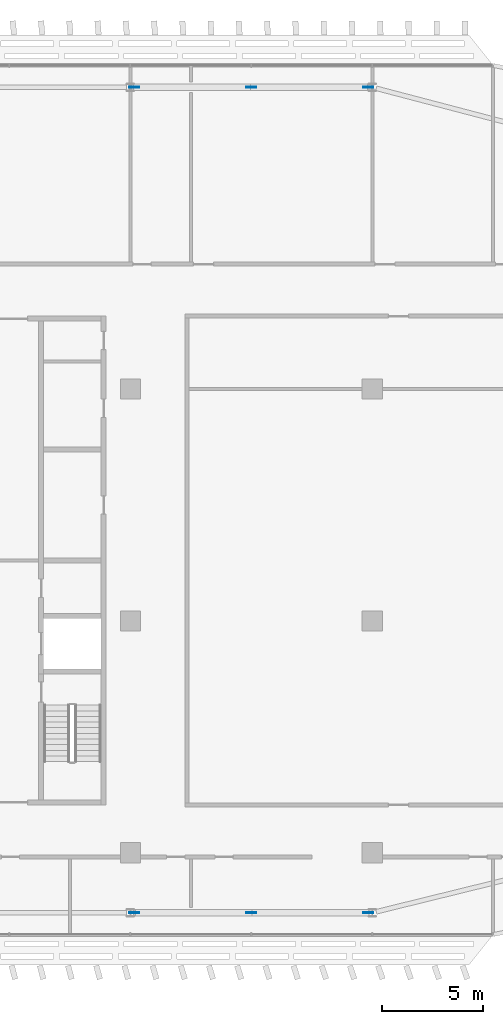
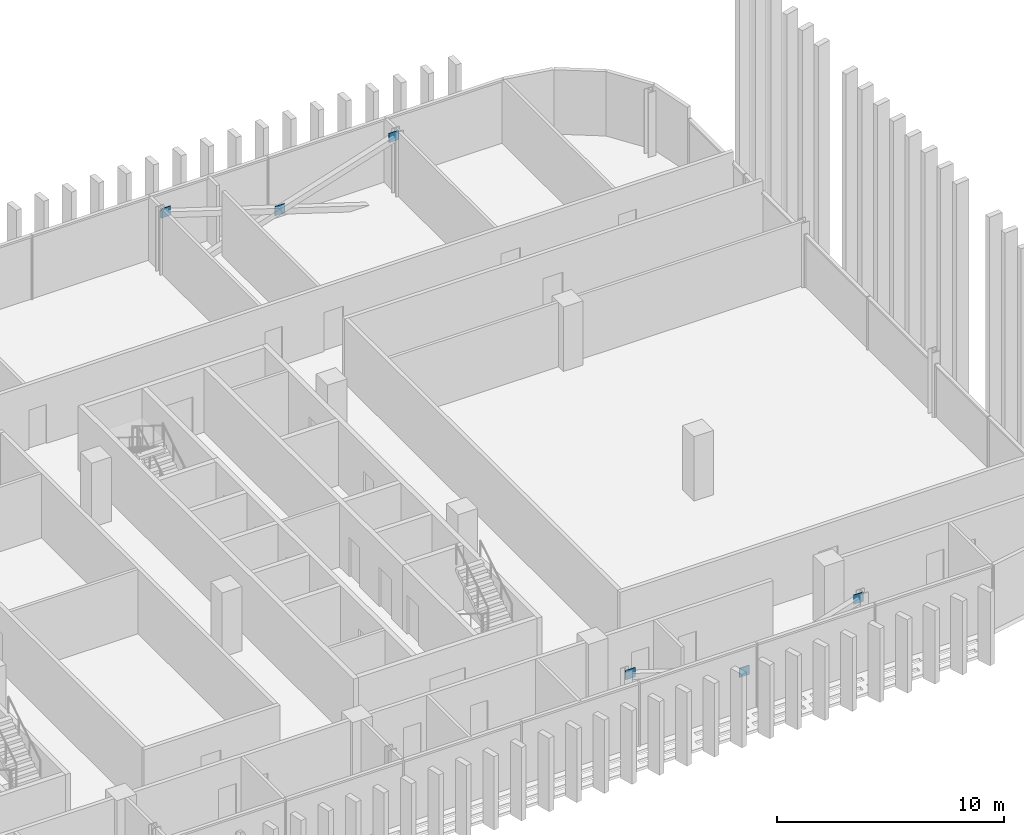
# One storey, part 25 of 32: 6 discrete accessories.
"""IFC4 building model written with IfcOpenShell, lengths in metres."""

import ifcopenshell
import ifcopenshell.guid

model = None  # the IFC model being written
_history = None  # IfcOwnerHistory: only IFC2X3 demands one
_inside = {}  # id of a spatial element -> (the spatial element, [elements in it])
_under = {}  # id of a project, library or spatial element -> (it, [spatial elements below it])
_declared = {}  # id of a project -> (the project, [libraries it declares])
_typed = {}  # id of a type object -> (the type object, [elements of that type])
_made_of = {}  # id of a material, layer set ... -> (it, [elements and type objects made of it])


def new_model(schema):
    """Start an empty IFC model of exactly this schema.

    Asked for "IFC4X3", IfcOpenShell would pick the latest addendum, in which some entities
    have other attributes; the version numbers below select the first issue.
    IFC2X3 requires an IfcOwnerHistory on every rooted entity: one is made here for all.
    """
    global model, _history
    if schema == "IFC4X3":
        model = ifcopenshell.file(schema_version=(4, 3, 0, 0))
    else:
        model = ifcopenshell.file(schema=schema)
    _inside.clear()
    _under.clear()
    _declared.clear()
    _typed.clear()
    _made_of.clear()
    _history = None
    if model.schema == "IFC2X3":
        org = make("IfcOrganization", Name="unknown")
        user = make(
            "IfcPersonAndOrganization",
            ThePerson=make("IfcPerson", FamilyName="unknown"),
            TheOrganization=org,
        )
        app = make(
            "IfcApplication",
            ApplicationDeveloper=org,
            Version="unknown",
            ApplicationFullName="unknown",
            ApplicationIdentifier="unknown",
        )
        _history = make(
            "IfcOwnerHistory",
            OwningUser=user,
            OwningApplication=app,
            ChangeAction="ADDED",
            CreationDate=0,
        )
    return model


def make(cls, **values):
    """One entity of the class cls with the attributes given. An attribute that is None is left unset."""
    return model.create_entity(
        cls, **{name: value for name, value in values.items() if value is not None}
    )


def rooted(cls, **values):
    """An entity with a GlobalId (a new one), such as an element, a storey or a relation."""
    return make(cls, GlobalId=ifcopenshell.guid.new(), OwnerHistory=_history, **values)


def si_unit(unit_type, name, prefix=None):
    """IfcSIUnit, for example si_unit("LENGTHUNIT", "METRE", prefix="MILLI")."""
    return make("IfcSIUnit", UnitType=unit_type, Prefix=prefix, Name=name)


def assignment(units):
    """IfcUnitAssignment: the units of a project."""
    return None if units is None else make("IfcUnitAssignment", Units=units)


def point(xyz):
    """IfcCartesianPoint."""
    return None if xyz is None else make("IfcCartesianPoint", Coordinates=xyz)


def direction(xyz):
    """IfcDirection."""
    return None if xyz is None else make("IfcDirection", DirectionRatios=xyz)


def frame(location, z_axis=None, x_axis=None):
    """IfcAxis2Placement3D, a coordinate frame: its origin and axes. An axis left out is left unset."""
    return make(
        "IfcAxis2Placement3D",
        Location=point(location),
        Axis=direction(z_axis),
        RefDirection=direction(x_axis),
    )


def frame_2d(location, x_axis=None):
    """IfcAxis2Placement2D, a coordinate frame in the plane: its origin and x axis."""
    return make(
        "IfcAxis2Placement2D", Location=point(location), RefDirection=direction(x_axis)
    )


def origin():
    """The frame at (0, 0, 0) with its axes left unset."""
    return frame((0.0, 0.0, 0.0))


def origin_2d():
    """The frame at (0, 0) in the plane with its x axis left unset."""
    return frame_2d((0.0, 0.0))


def place(relative_to, where):
    """IfcLocalPlacement: puts the frame where relative to a parent placement (None: the world)."""
    return make(
        "IfcLocalPlacement", PlacementRelTo=relative_to, RelativePlacement=where
    )


def context(
    kind, dimensions, precision=None, world=None, true_north=None, identifier=None
):
    """IfcGeometricRepresentationContext, for example the 3D "Model" context."""
    return make(
        "IfcGeometricRepresentationContext",
        ContextIdentifier=identifier,
        ContextType=kind,
        CoordinateSpaceDimension=dimensions,
        Precision=precision,
        WorldCoordinateSystem=world,
        TrueNorth=true_north,
    )


def subcontext(parent, identifier, kind, view, scale=None):
    """IfcGeometricRepresentationSubContext, for example "Body" below "Model"."""
    return make(
        "IfcGeometricRepresentationSubContext",
        ContextIdentifier=identifier,
        ContextType=kind,
        ParentContext=parent,
        TargetScale=scale,
        TargetView=view,
    )


def project(units=None, contexts=None):
    """IfcProject with its units and contexts."""
    return rooted(
        "IfcProject",
        Name="project",
        RepresentationContexts=contexts,
        UnitsInContext=assignment(units),
    )


def spatial(cls, under=None, at=None, **own):
    """A site, building, storey or space (cls), placed at a placement, below another one or the project."""
    s = rooted(cls, ObjectPlacement=at, **own)
    if under is not None:
        _under.setdefault(under.id(), (under, []))[1].append(s)
    return s


def profile(cls, at=None, kind="AREA", **sizes):
    """A parametric profile (cls). Its sizes go by their IFC names, for example OverallWidth=200.0."""
    return make(cls, ProfileType=kind, Position=at, **sizes)


def rectangle(**sizes):
    """IfcRectangleProfileDef."""
    return profile("IfcRectangleProfileDef", **sizes)


def extrude(swept, where, along, depth):
    """IfcExtrudedAreaSolid: the profile swept, set in the frame where, extruded along a direction by depth."""
    return make(
        "IfcExtrudedAreaSolid",
        SweptArea=swept,
        Position=where,
        ExtrudedDirection=direction(along),
        Depth=depth,
    )


def shape(context_of_items, identifier, shape_type, items):
    """IfcShapeRepresentation: the items that make up one representation, for example the "Body"."""
    return make(
        "IfcShapeRepresentation",
        ContextOfItems=context_of_items,
        RepresentationIdentifier=identifier,
        RepresentationType=shape_type,
        Items=items,
    )


def material(Name=None, Category=None):
    """IfcMaterial."""
    return make("IfcMaterial", Name=Name, Category=Category)


def layer(
    of_material, thickness, ventilated=None, Name=None, Category=None, Priority=None
):
    """IfcMaterialLayer: one layer of a wall or slab, of a material (None: an air gap)."""
    return make(
        "IfcMaterialLayer",
        Material=of_material,
        LayerThickness=thickness,
        IsVentilated=ventilated,
        Name=Name,
        Category=Category,
        Priority=Priority,
    )


def layer_set(layers, Name=None):
    """IfcMaterialLayerSet."""
    return make("IfcMaterialLayerSet", MaterialLayers=layers, LayerSetName=Name)


def made_of(thing, what):
    """Note that an element or type object is made of a material, layer set ...; save() writes the relation."""
    if what is not None:
        _made_of.setdefault(what.id(), (what, []))[1].append(thing)
    return thing


def type_object(cls, material=None, **own):
    """A type object (cls), such as IfcWallType, which elements share."""
    return made_of(rooted(cls, **own), material)


def element(
    cls,
    number,
    at=None,
    inside=None,
    cuts=None,
    type_object=None,
    material=None,
    context=None,
    identifier="Body",
    shape_type=None,
    held_by="IfcProductDefinitionShape",
    body=None,
    shapes=None,
    **own,
):
    """One element of the class cls, such as IfcWall. Its Tag is "e" and its number.

    at: its placement. inside: the storey or other place that contains it. cuts: it is an
    opening in that element (IfcRelVoidsElement). A single representation is given by context,
    identifier, shape_type and body (its items); several are given by shapes. held_by: the class
    of the entity that holds the representations. save() writes the other relations.
    """
    e = rooted(cls, Tag="e%d" % number, ObjectPlacement=at, **own)
    if body is not None:
        shapes = [shape(context, identifier, shape_type, body)]
    if shapes is not None:
        e.Representation = make(held_by, Representations=shapes)
    if inside is not None:
        _inside.setdefault(inside.id(), (inside, []))[1].append(e)
    if cuts is not None:
        rooted(
            "IfcRelVoidsElement", RelatingBuildingElement=cuts, RelatedOpeningElement=e
        )
    if type_object is not None:
        _typed.setdefault(type_object.id(), (type_object, []))[1].append(e)
    return made_of(e, material)


def aggregate(whole, parts):
    """IfcRelAggregates: a whole, such as a stair, and the parts it consists of."""
    return rooted("IfcRelAggregates", RelatingObject=whole, RelatedObjects=parts)


def save(model, path):
    """Write the relations noted so far, then the file.

    IfcRelAggregates (storeys below a building ...), IfcRelContainedInSpatialStructure (elements
    in a storey), IfcRelDefinesByType, IfcRelAssociatesMaterial and IfcRelDeclares: one each for
    every whole, place, type object, material and project.
    """
    for whole, parts in _under.values():
        aggregate(whole, parts)
    for where, things in _inside.values():
        rooted(
            "IfcRelContainedInSpatialStructure",
            RelatedElements=things,
            RelatingStructure=where,
        )
    for kind, things in _typed.values():
        rooted("IfcRelDefinesByType", RelatedObjects=things, RelatingType=kind)
    for what, things in _made_of.values():
        rooted("IfcRelAssociatesMaterial", RelatedObjects=things, RelatingMaterial=what)
    for by, libraries in _declared.values():
        rooted("IfcRelDeclares", RelatingContext=by, RelatedDefinitions=libraries)
    model.write(path)


model = new_model("IFC4")

# Units and contexts
model_context = context("Model", 3, precision=1e-05, world=origin(), true_north=direction((0.0, 1.0)))
body_context = subcontext(model_context, "Body", "Model", "MODEL_VIEW")
ifc_project = project(units=[si_unit("LENGTHUNIT", "METRE"), si_unit("AREAUNIT", "SQUARE_METRE"), si_unit("VOLUMEUNIT", "CUBIC_METRE"), si_unit("PLANEANGLEUNIT", "RADIAN"), si_unit("MASSUNIT", "GRAM", prefix="KILO")], contexts=[model_context])

# Site, building, storey
site_placement = place(None, origin())
site = spatial("IfcSite", under=ifc_project, at=site_placement, CompositionType="ELEMENT")
building_placement = place(site_placement, origin())
building = spatial("IfcBuilding", under=site, at=building_placement, Name="Mahtab Terrace Research Tower", CompositionType="ELEMENT")
storey_placement = place(building_placement, frame((0.0, 0.0, 243.800048828125)))
storey = spatial("IfcBuildingStorey", under=building, at=storey_placement, Name="L59", CompositionType="ELEMENT", Elevation=243.800048828125)

# Discrete accessories
ifc_material = material(Name="Steel ASTM A992 Gr 50", Category="steel")
ifc_layer = layer(ifc_material, 0.030029296875)
ifc_layer_set = layer_set([ifc_layer], Name="Gusset plate 500x500x30")
discrete_accessory_type = type_object("IfcDiscreteAccessoryType", Name="Gusset plate 500x500x30", PredefinedType="USERDEFINED", material=ifc_layer_set)
for number, where, z_axis, x_axis, name in (
    (1, (30.199462890625, -14.472900390625, 2.90625), (0.0, 0.0, 1.0), (1.0, 0.0, 0.0), "Gusset plate"),
    (2, (30.199462890625, 26.472900390625, 2.90625), (0.0, 0.0, 1.0), (1.0, 0.0, 0.0), "Gusset plate"),
    (3, (36.0, -14.472900390625, 1.00634765625), (0.0, 0.0, 1.0), (1.0, 0.0, 0.0), "Gusset plate"),
    (4, (36.0, 26.472900390625, 1.00634765625), (0.0, 0.0, 1.0), (1.0, 0.0, 0.0), "Gusset plate"),
    (5, (41.800537109375, -14.472900390625, 2.90625), (0.0, 0.0, 1.0), (1.0, 0.0, 0.0), "Gusset plate"),
    (6, (41.800537109375, 26.472900390625, 2.90625), (0.0, 0.0, 1.0), (1.0, 0.0, 0.0), "Gusset plate"),
):
    element("IfcDiscreteAccessory", number, at=place(storey_placement, frame(where, z_axis=z_axis, x_axis=x_axis)), inside=storey, type_object=discrete_accessory_type, Name=name, ObjectType="GUSSET PLATE", PredefinedType="USERDEFINED", context=body_context, shape_type="SweptSolid", body=[
        extrude(rectangle(XDim=0.5, YDim=0.030029296875, at=origin_2d()), origin(), (0.0, 0.0, 1.0), 0.5),
    ])

save(model, "model.ifc")
